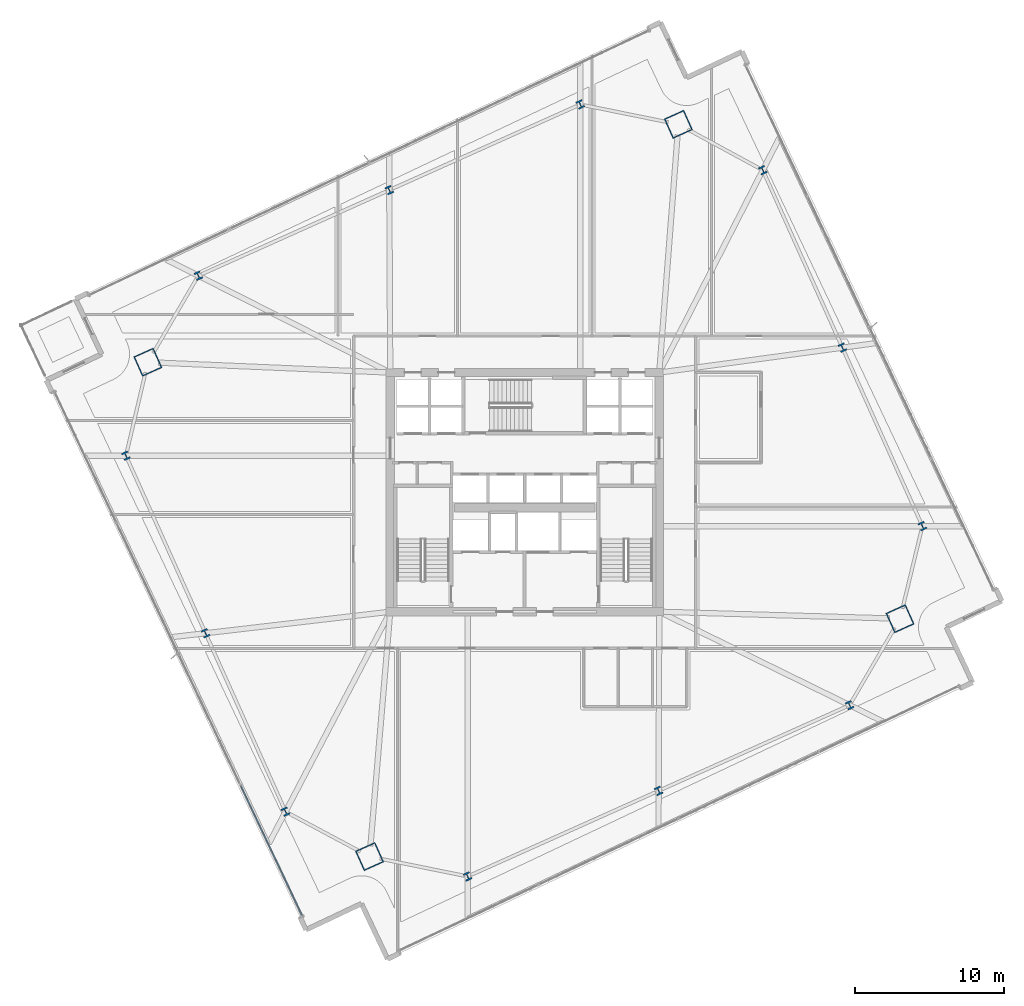
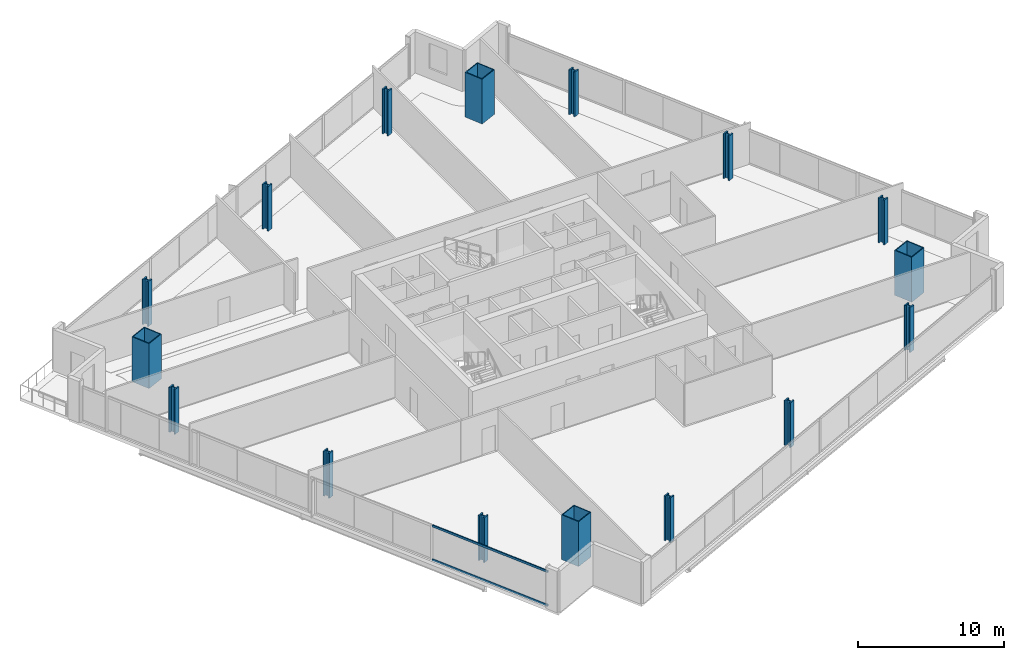
# One storey, part 1 of 34: 16 columns, 2 members, 1 element without a shape of its own.
"""IFC4 building model written with IfcOpenShell, lengths in metres."""

from ifc_helpers import new_model, si_unit, direction, frame, origin, origin_2d, place, context, subcontext, project, spatial, hollow_rectangle, i_section, extrude, material, material_profile, profile_set, type_object, element, aggregate, save


model = new_model("IFC4")

# Units and contexts
model_context = context("Model", 3, precision=1e-05, world=origin(), true_north=direction((0.0, 1.0)))
body_context = subcontext(model_context, "Body", "Model", "MODEL_VIEW")
ifc_project = project(units=[si_unit("LENGTHUNIT", "METRE"), si_unit("AREAUNIT", "SQUARE_METRE"), si_unit("VOLUMEUNIT", "CUBIC_METRE"), si_unit("PLANEANGLEUNIT", "RADIAN"), si_unit("MASSUNIT", "GRAM", prefix="KILO")], contexts=[model_context])

# Site, building, storey
site_placement = place(None, origin())
site = spatial("IfcSite", under=ifc_project, at=site_placement, CompositionType="ELEMENT")
building_placement = place(site_placement, origin())
building = spatial("IfcBuilding", under=site, at=building_placement, Name="Haldenkirk Collegiate Tower", CompositionType="ELEMENT")
storey_placement = place(building_placement, frame((0.0, 0.0, 112.949951171875)))
storey = spatial("IfcBuildingStorey", under=building, at=storey_placement, Name="L27", CompositionType="ELEMENT", Elevation=112.949951171875)

# Columns
ifc_material_1 = material(Name="Steel ASTM A913 Grade 65", Category="steel")
ifc_material_profile_1 = material_profile(ifc_material_1, i_section(OverallWidth=0.44189453125, OverallDepth=0.531005859375, WebThickness=0.06591796875, FlangeThickness=0.105712890625, at=origin_2d()), Name="W14X605")
ifc_profile_set_1 = profile_set([ifc_material_profile_1], Name="Steel ASTM A913 Grade 65")
column_type_1 = type_object("IfcColumnType", Name="COL-INT-W14X605", PredefinedType="COLUMN", material=ifc_profile_set_1)
for number, where, z_axis, x_axis, name in (
    (1, (32.181396484375, 0.287353515625, 0.0), (0.0, 0.0, 1.0), (0.912477494148, 0.409126902895, 0.0), "L27 perimeter gravity column PC-S1"),
    (2, (44.9599609375, 6.0166015625, 0.0), (0.0, 0.0, 1.0), (0.912477494148, 0.409126902895, 0.0), "L27 perimeter gravity column PC-S2"),
    (3, (57.73828125, 11.74609375, 0.0), (0.0, 0.0, 1.0), (0.912477494148, 0.409126902895, 0.0), "L27 perimeter gravity column PC-S3"),
    (4, (62.608642578125, 23.727294921875, 0.0), (0.0, 0.0, 1.0), (0.912477494148, 0.409126902895, 0.0), "L27 perimeter gravity column PC-E1"),
    (5, (57.255126953125, 35.667236328125, 0.0), (0.0, 0.0, 1.0), (0.912477494148, 0.409126902895, 0.0), "L27 perimeter gravity column PC-E2"),
    (6, (51.930419921875, 47.543212890625, 0.0), (0.0, 0.0, 1.0), (0.912477494148, 0.409126902895, 0.0), "L27 perimeter gravity column PC-E3"),
    (7, (39.71630859375, 51.94091796875, 0.0), (0.0, 0.0, 1.0), (0.912477494148, 0.409126902895, 0.0), "L27 perimeter gravity column PC-N1"),
    (8, (26.937744140625, 46.21142578125, 0.0), (0.0, 0.0, 1.0), (0.912477494148, 0.409126902895, 0.0), "L27 perimeter gravity column PC-N2"),
    (9, (14.159423828125, 40.48193359375, 0.0), (0.0, 0.0, 1.0), (0.912477494148, 0.409126902895, 0.0), "L27 perimeter gravity column PC-N3"),
    (10, (9.317626953125, 28.436767578125, 0.0), (0.0, 0.0, 1.0), (0.912477494148, 0.409126902895, 0.0), "L27 perimeter gravity column PC-W1"),
    (11, (14.642578125, 16.560791015625, 0.0), (0.0, 0.0, 1.0), (0.912477494148, 0.409126902895, 0.0), "L27 perimeter gravity column PC-W2"),
    (12, (19.995849609375, 4.62109375, 0.0), (0.0, 0.0, 1.0), (0.912477494148, 0.409126902895, 0.0), "L27 perimeter gravity column PC-W3"),
):
    element("IfcColumn", number, at=place(storey_placement, frame(where, z_axis=z_axis, x_axis=x_axis)), inside=storey, type_object=column_type_1, Name=name, PredefinedType="COLUMN", context=body_context, shape_type="SweptSolid", body=[
        extrude(i_section(OverallWidth=0.44189453125, OverallDepth=0.531005859375, WebThickness=0.06591796875, FlangeThickness=0.105712890625, at=origin_2d()), origin(), (0.0, 0.0, 1.0), 3.75),
    ])
ifc_material_2 = material(Name="Steel ASTM A572 Grade 50", Category="steel")
ifc_material_profile_2 = material_profile(ifc_material_2, hollow_rectangle(XDim=1.449951171875, YDim=1.449951171875, WallThickness=0.070068359375, at=origin_2d()), Name="BOX1450X1450X70")
ifc_profile_set_2 = profile_set([ifc_material_profile_2], Name="Steel ASTM A572 Grade 50")
column_type_2 = type_object("IfcColumnType", Name="COL-MEGA-BOX1450X1450X70", PredefinedType="COLUMN", material=ifc_profile_set_2)
for number, where, z_axis, x_axis, name in (
    (13, (25.61669921875, 1.617919921875, 0.0), (0.0, 0.0, 1.0), (0.912477494148, 0.409126902895, 0.0), "L27 corner mega-column MC1"),
    (14, (61.112060546875, 17.532958984375, 0.0), (0.0, 0.0, 1.0), (0.912477494148, 0.409126902895, 0.0), "L27 corner mega-column MC2"),
    (15, (46.281005859375, 50.610107421875, 0.0), (0.0, 0.0, 1.0), (0.912477494148, 0.409126902895, 0.0), "L27 corner mega-column MC3"),
    (16, (10.78564453125, 34.6953125, 0.0), (0.0, 0.0, 1.0), (0.912477494148, 0.409126902895, 0.0), "L27 corner mega-column MC4"),
):
    element("IfcColumn", number, at=place(storey_placement, frame(where, z_axis=z_axis, x_axis=x_axis)), inside=storey, type_object=column_type_2, Name=name, PredefinedType="COLUMN", context=body_context, shape_type="SweptSolid", body=[
        extrude(hollow_rectangle(XDim=1.449951171875, YDim=1.449951171875, WallThickness=0.070068359375, at=origin_2d()), origin(), (0.0, 0.0, 1.0), 3.75),
    ])

# Curtain wall, members
ifc_material_3 = material(Name="Anodised architectural bronze aluminium", Category="aluminium")
curtain_wall_type = type_object("IfcCurtainWallType", Name="CW-SYS1-CONVEX-LOW", PredefinedType="USERDEFINED", material=ifc_material_3)
curtain_wall_placement = place(storey_placement, origin())
curtain_wall = element("IfcCurtainWall", 17, at=curtain_wall_placement, inside=storey, type_object=curtain_wall_type, Name="L27 Lower tower convex bronze-framed unitised curtain wall", ObjectType="UNITISED CURTAIN WALL", PredefinedType="USERDEFINED")
ifc_material_profile_3 = material_profile(ifc_material_3, hollow_rectangle(XDim=0.080078125, YDim=0.179931640625, WallThickness=0.0048828125, at=origin_2d()), Name="CW-TRN-1A")
ifc_profile_set_3 = profile_set([ifc_material_profile_3], Name="Anodised architectural bronze aluminium")
member_type = type_object("IfcMemberType", Name="CW-TRN-1A", PredefinedType="USERDEFINED", material=ifc_profile_set_3)
member_1_placement = place(storey_placement, frame((21.107177734375, -2.32666015625, 0.0400390625), z_axis=(-0.427367899751, 0.904077805425, 0.0), x_axis=(-0.904077805425, -0.427367899751, 0.0)))
member_1 = element("IfcMember", 18, at=member_1_placement, type_object=member_type, Name="CW-1A transom 1.1", ObjectType="TRANSOM", PredefinedType="USERDEFINED", context=body_context, shape_type="SweptSolid", body=[
    extrude(hollow_rectangle(XDim=0.080078125, YDim=0.179931640625, WallThickness=0.0048828125, at=origin_2d()), origin(), (0.0, 0.0, 1.0), 9.598876953125),
])
member_2_placement = place(storey_placement, frame((21.107177734375, -2.32666015625, 2.861083984375), z_axis=(-0.427367899751, 0.904077805425, 0.0), x_axis=(-0.904077805425, -0.427367899751, 0.0)))
member_2 = element("IfcMember", 19, at=member_2_placement, type_object=member_type, Name="CW-1A transom 1.2", ObjectType="TRANSOM", PredefinedType="USERDEFINED", context=body_context, shape_type="SweptSolid", body=[
    extrude(hollow_rectangle(XDim=0.080078125, YDim=0.179931640625, WallThickness=0.0048828125, at=origin_2d()), origin(), (0.0, 0.0, 1.0), 9.598876953125),
])
aggregate(curtain_wall, [member_1, member_2])

save(model, "model.ifc")
